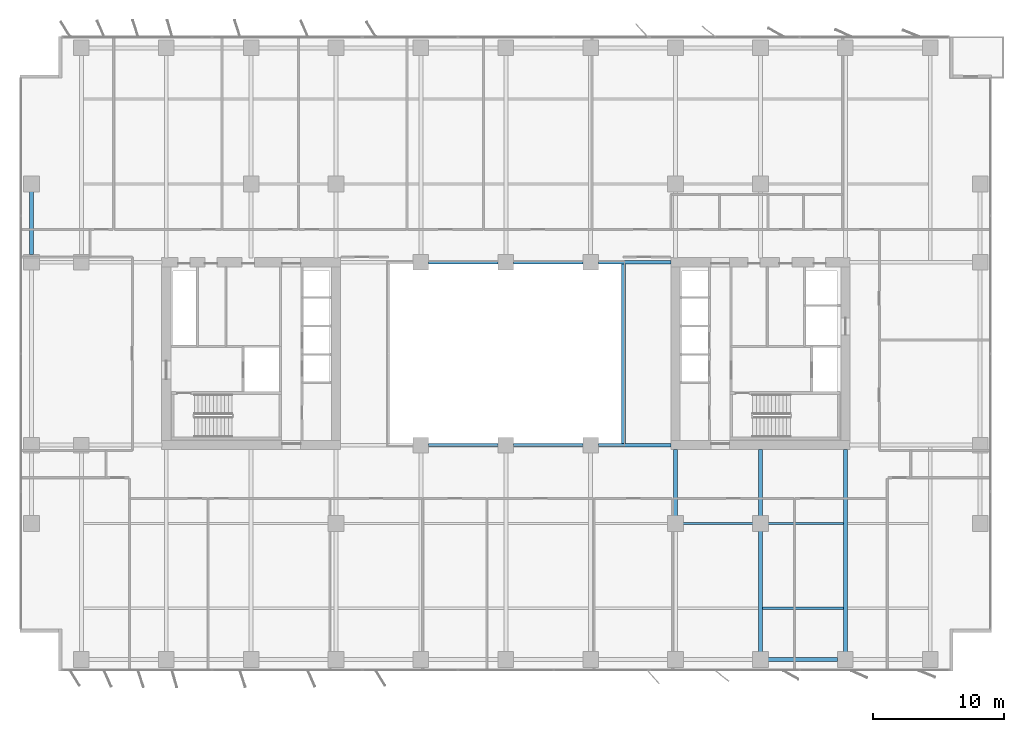
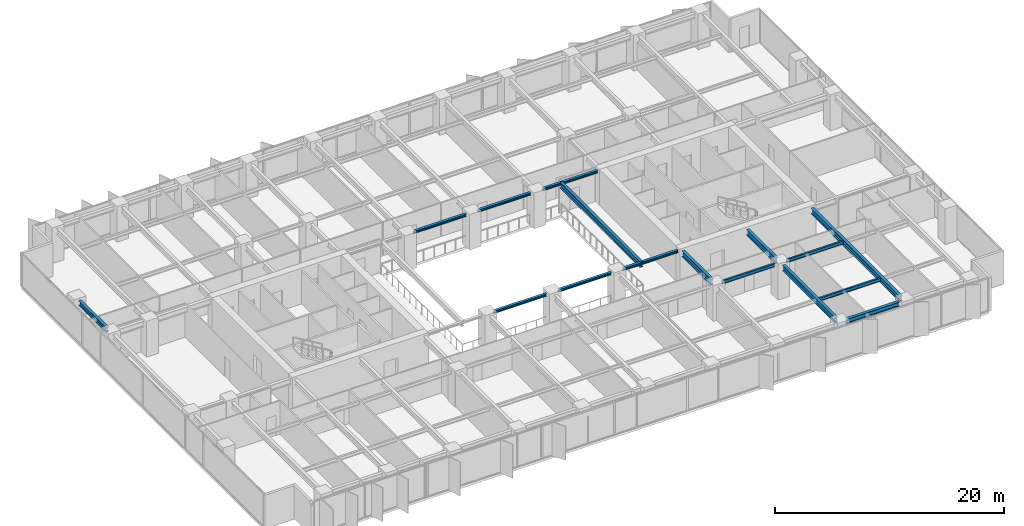
# One storey, part 6 of 20: 16 beams.
"""IFC4 building model written with IfcOpenShell, lengths in metres."""

from ifc_helpers import new_model, si_unit, direction, frame, origin, origin_2d, place, context, subcontext, project, spatial, i_section, extrude, material, material_profile, profile_set, type_object, element, save


model = new_model("IFC4")

# Units and contexts
model_context = context("Model", 3, precision=1e-05, world=origin(), true_north=direction((0.0, 1.0)))
body_context = subcontext(model_context, "Body", "Model", "MODEL_VIEW")
ifc_project = project(units=[si_unit("LENGTHUNIT", "METRE"), si_unit("AREAUNIT", "SQUARE_METRE"), si_unit("VOLUMEUNIT", "CUBIC_METRE"), si_unit("PLANEANGLEUNIT", "RADIAN"), si_unit("MASSUNIT", "GRAM", prefix="KILO")], contexts=[model_context])

# Site, building, storey
site_placement = place(None, origin())
site = spatial("IfcSite", under=ifc_project, at=site_placement, CompositionType="ELEMENT")
building_placement = place(site_placement, origin())
building = spatial("IfcBuilding", under=site, at=building_placement, Name="Putna Gate Headquarters", CompositionType="ELEMENT")
storey_placement = place(building_placement, frame((0.0, 0.0, 131.60009765625)))
storey = spatial("IfcBuildingStorey", under=building, at=storey_placement, Name="L32", CompositionType="ELEMENT", Elevation=131.60009765625)

# Beams
ifc_material = material(Name="Steel S355J2", Category="steel")
ifc_material_profile_1 = material_profile(ifc_material, i_section(OverallWidth=0.260009765625, OverallDepth=0.260009765625, WebThickness=0.010009765625, FlangeThickness=0.017578125, at=origin_2d()), Name="Steel S355J2")
ifc_profile_set_1 = profile_set([ifc_material_profile_1], Name="Steel S355J2")
beam_type_1 = type_object("IfcBeamType", Name="BM-ATRIUM-HEB260", PredefinedType="BEAM", material=ifc_profile_set_1)
for number, where, z_axis, x_axis, name in (
    (1, (33.087890625, 19.0, 3.434814453125), (1.0, 0.0, 0.0), (0.0, 1.0, 0.0), "L32 Atrium Edge Beam AS2"),
    (2, (39.587890625, 19.0, 3.434814453125), (1.0, 0.0, 0.0), (0.0, 1.0, 0.0), "L32 Atrium Edge Beam AS3"),
):
    element("IfcBeam", number, at=place(storey_placement, frame(where, z_axis=z_axis, x_axis=x_axis)), inside=storey, type_object=beam_type_1, Name=name, PredefinedType="BEAM", context=body_context, shape_type="SweptSolid", body=[
        extrude(i_section(OverallWidth=0.260009765625, OverallDepth=0.260009765625, WebThickness=0.010009765625, FlangeThickness=0.017578125, at=origin_2d()), origin(), (0.0, 0.0, 1.0), 5.32421875),
    ])
beam_1_placement = place(storey_placement, frame((46.087890625, 19.0, 3.434814453125), z_axis=(1.0, 0.0, 0.0), x_axis=(0.0, 1.0, 0.0)))
element("IfcBeam", 3, at=beam_1_placement, inside=storey, type_object=beam_type_1, Name="L32 Atrium Edge Beam AS4", PredefinedType="BEAM", context=body_context, shape_type="SweptSolid", body=[
    extrude(i_section(OverallWidth=0.260009765625, OverallDepth=0.260009765625, WebThickness=0.010009765625, FlangeThickness=0.017578125, at=origin_2d()), origin(), (0.0, 0.0, 1.0), 5.5771484375),
])
for number, where, z_axis, x_axis, name in (
    (4, (33.087890625, 33.0, 3.434814453125), (1.0, 0.0, 0.0), (0.0, 1.0, 0.0), "L32 Atrium Edge Beam AN2"),
    (5, (39.587890625, 33.0, 3.434814453125), (1.0, 0.0, 0.0), (0.0, 1.0, 0.0), "L32 Atrium Edge Beam AN3"),
):
    element("IfcBeam", number, at=place(storey_placement, frame(where, z_axis=z_axis, x_axis=x_axis)), inside=storey, type_object=beam_type_1, Name=name, PredefinedType="BEAM", context=body_context, shape_type="SweptSolid", body=[
        extrude(i_section(OverallWidth=0.260009765625, OverallDepth=0.260009765625, WebThickness=0.010009765625, FlangeThickness=0.017578125, at=origin_2d()), origin(), (0.0, 0.0, 1.0), 5.32421875),
    ])
beam_2_placement = place(storey_placement, frame((46.087890625, 33.0, 3.434814453125), z_axis=(1.0, 0.0, 0.0), x_axis=(0.0, 1.0, 0.0)))
element("IfcBeam", 6, at=beam_2_placement, inside=storey, type_object=beam_type_1, Name="L32 Atrium Edge Beam AN4", PredefinedType="BEAM", context=body_context, shape_type="SweptSolid", body=[
    extrude(i_section(OverallWidth=0.260009765625, OverallDepth=0.260009765625, WebThickness=0.010009765625, FlangeThickness=0.017578125, at=origin_2d()), origin(), (0.0, 0.0, 1.0), 5.5771484375),
])
ifc_material_profile_2 = material_profile(ifc_material, i_section(OverallWidth=0.300048828125, OverallDepth=0.60009765625, WebThickness=0.015380859375, FlangeThickness=0.030029296875, at=origin_2d()), Name="Steel S355J2")
ifc_profile_set_2 = profile_set([ifc_material_profile_2], Name="Steel S355J2")
beam_type_2 = type_object("IfcBeamType", Name="BM-GIRD-Z2-HEB600", PredefinedType="USERDEFINED", material=ifc_profile_set_2)
beam_3_placement = place(storey_placement, frame((52.0, 13.587890625, 3.264892578125), z_axis=(0.0, 1.0, 0.0), x_axis=(-1.0, 0.0, 0.0)))
element("IfcBeam", 7, at=beam_3_placement, inside=storey, type_object=beam_type_2, Name="L32 South Primary Girder X52-2", ObjectType="GIRDER", PredefinedType="USERDEFINED", context=body_context, shape_type="SweptSolid", body=[
    extrude(i_section(OverallWidth=0.300048828125, OverallDepth=0.60009765625, WebThickness=0.015380859375, FlangeThickness=0.030029296875, at=origin_2d()), origin(), (0.0, 0.0, 1.0), 5.0771484375),
])
beam_4_placement = place(storey_placement, frame((58.5, 3.16796875, 3.264892578125), z_axis=(0.0, 1.0, 0.0), x_axis=(-1.0, 0.0, 0.0)))
element("IfcBeam", 8, at=beam_4_placement, inside=storey, type_object=beam_type_2, Name="L32 South Primary Girder X58-1", ObjectType="GIRDER", PredefinedType="USERDEFINED", context=body_context, shape_type="SweptSolid", body=[
    extrude(i_section(OverallWidth=0.300048828125, OverallDepth=0.60009765625, WebThickness=0.015380859375, FlangeThickness=0.030029296875, at=origin_2d()), origin(), (0.0, 0.0, 1.0), 9.244140625),
])
beam_5_placement = place(storey_placement, frame((58.5, 13.587890625, 3.264892578125), z_axis=(0.0, 1.0, 0.0), x_axis=(-1.0, 0.0, 0.0)))
element("IfcBeam", 9, at=beam_5_placement, inside=storey, type_object=beam_type_2, Name="L32 South Primary Girder X58-2", ObjectType="GIRDER", PredefinedType="USERDEFINED", context=body_context, shape_type="SweptSolid", body=[
    extrude(i_section(OverallWidth=0.300048828125, OverallDepth=0.60009765625, WebThickness=0.015380859375, FlangeThickness=0.030029296875, at=origin_2d()), origin(), (0.0, 0.0, 1.0), 5.0771484375),
])
beam_6_placement = place(storey_placement, frame((65.0, 3.16796875, 3.264892578125), z_axis=(0.0, 1.0, 0.0), x_axis=(-1.0, 0.0, 0.0)))
element("IfcBeam", 10, at=beam_6_placement, inside=storey, type_object=beam_type_2, Name="L32 South Primary Girder X65", ObjectType="GIRDER", PredefinedType="USERDEFINED", context=body_context, shape_type="SweptSolid", body=[
    extrude(i_section(OverallWidth=0.300048828125, OverallDepth=0.60009765625, WebThickness=0.015380859375, FlangeThickness=0.030029296875, at=origin_2d()), origin(), (0.0, 0.0, 1.0), 15.4970703125),
])
beam_7_placement = place(storey_placement, frame((48.0, 19.010009765625, 3.264892578125), z_axis=(0.0, 1.0, 0.0), x_axis=(-1.0, 0.0, 0.0)))
element("IfcBeam", 11, at=beam_7_placement, inside=storey, type_object=beam_type_2, Name="L32 Atrium Trim Girder AE", ObjectType="GIRDER", PredefinedType="USERDEFINED", context=body_context, shape_type="SweptSolid", body=[
    extrude(i_section(OverallWidth=0.300048828125, OverallDepth=0.60009765625, WebThickness=0.015380859375, FlangeThickness=0.030029296875, at=origin_2d()), origin(), (0.0, 0.0, 1.0), 13.97998046875),
])
ifc_material_profile_3 = material_profile(ifc_material, i_section(OverallWidth=0.169921875, OverallDepth=0.360107421875, WebThickness=0.008056640625, FlangeThickness=0.0126953125, at=origin_2d()), Name="Steel S355J2")
ifc_profile_set_3 = profile_set([ifc_material_profile_3], Name="Steel S355J2")
beam_type_3 = type_object("IfcBeamType", Name="BM-SEC-Z2-IPE360", PredefinedType="BEAM", material=ifc_profile_set_3)
beam_8_placement = place(storey_placement, frame((52.587890625, 13.0, 3.385009765625), z_axis=(1.0, 0.0, 0.0), x_axis=(0.0, 1.0, 0.0)))
element("IfcBeam", 12, at=beam_8_placement, inside=storey, type_object=beam_type_3, Name="L32 South Secondary Beam 8", PredefinedType="BEAM", context=body_context, shape_type="SweptSolid", body=[
    extrude(i_section(OverallWidth=0.169921875, OverallDepth=0.360107421875, WebThickness=0.008056640625, FlangeThickness=0.0126953125, at=origin_2d()), origin(), (0.0, 0.0, 1.0), 5.32421875),
])
beam_9_placement = place(storey_placement, frame((58.654052734375, 6.5, 3.385009765625), z_axis=(1.0, 0.0, 0.0), x_axis=(0.0, 1.0, 0.0)))
element("IfcBeam", 13, at=beam_9_placement, inside=storey, type_object=beam_type_3, Name="L32 South Secondary Beam 9", PredefinedType="BEAM", context=body_context, shape_type="SweptSolid", body=[
    extrude(i_section(OverallWidth=0.169921875, OverallDepth=0.360107421875, WebThickness=0.008056640625, FlangeThickness=0.0126953125, at=origin_2d()), origin(), (0.0, 0.0, 1.0), 6.19189453125),
])
beam_10_placement = place(storey_placement, frame((59.087890625, 13.0, 3.385009765625), z_axis=(1.0, 0.0, 0.0), x_axis=(0.0, 1.0, 0.0)))
element("IfcBeam", 14, at=beam_10_placement, inside=storey, type_object=beam_type_3, Name="L32 South Secondary Beam 9", PredefinedType="BEAM", context=body_context, shape_type="SweptSolid", body=[
    extrude(i_section(OverallWidth=0.169921875, OverallDepth=0.360107421875, WebThickness=0.008056640625, FlangeThickness=0.0126953125, at=origin_2d()), origin(), (0.0, 0.0, 1.0), 5.758056640625),
])
ifc_material_profile_4 = material_profile(ifc_material, i_section(OverallWidth=0.300048828125, OverallDepth=0.489990234375, WebThickness=0.011962890625, FlangeThickness=0.02294921875, at=origin_2d()), Name="Steel S355J2")
ifc_profile_set_4 = profile_set([ifc_material_profile_4], Name="Steel S355J2")
beam_type_4 = type_object("IfcBeamType", Name="BM-SPAN-Z2-HEA500", PredefinedType="SPANDREL", material=ifc_profile_set_4)
beam_11_placement = place(storey_placement, frame((59.087890625, 2.580078125, 3.31982421875), z_axis=(1.0, 0.0, 0.0), x_axis=(0.0, 1.0, 0.0)))
element("IfcBeam", 15, at=beam_11_placement, inside=storey, type_object=beam_type_4, Name="L32 S Perimeter Spandrel 9", PredefinedType="SPANDREL", context=body_context, shape_type="SweptSolid", body=[
    extrude(i_section(OverallWidth=0.300048828125, OverallDepth=0.489990234375, WebThickness=0.011962890625, FlangeThickness=0.02294921875, at=origin_2d()), origin(), (0.0, 0.0, 1.0), 5.32421875),
])
beam_12_placement = place(storey_placement, frame((2.679931640625, 33.587890625, 3.31982421875), z_axis=(0.0, 1.0, 0.0), x_axis=(-1.0, 0.0, 0.0)))
element("IfcBeam", 16, at=beam_12_placement, inside=storey, type_object=beam_type_4, Name="L32 W End Spandrel 3", PredefinedType="SPANDREL", context=body_context, shape_type="SweptSolid", body=[
    extrude(i_section(OverallWidth=0.300048828125, OverallDepth=0.489990234375, WebThickness=0.011962890625, FlangeThickness=0.02294921875, at=origin_2d()), origin(), (0.0, 0.0, 1.0), 4.82421875),
])

save(model, "model.ifc")
